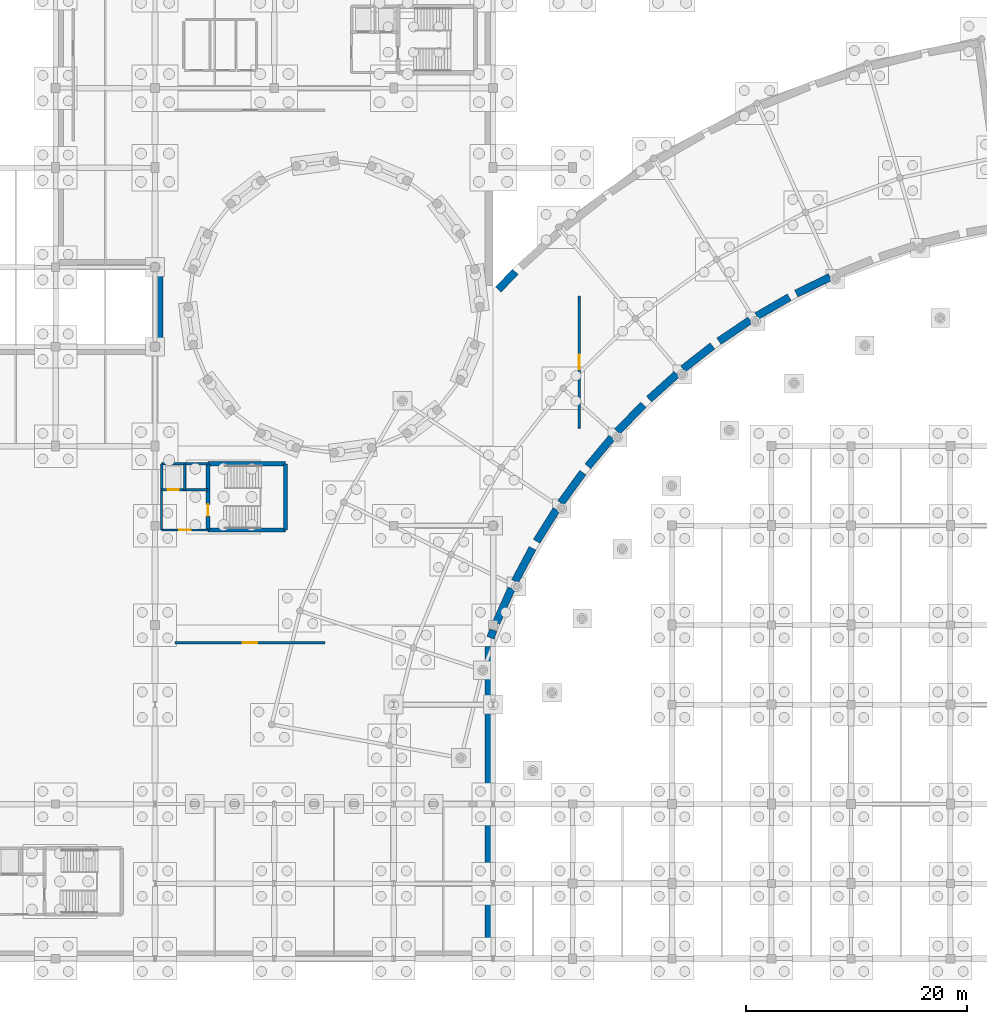
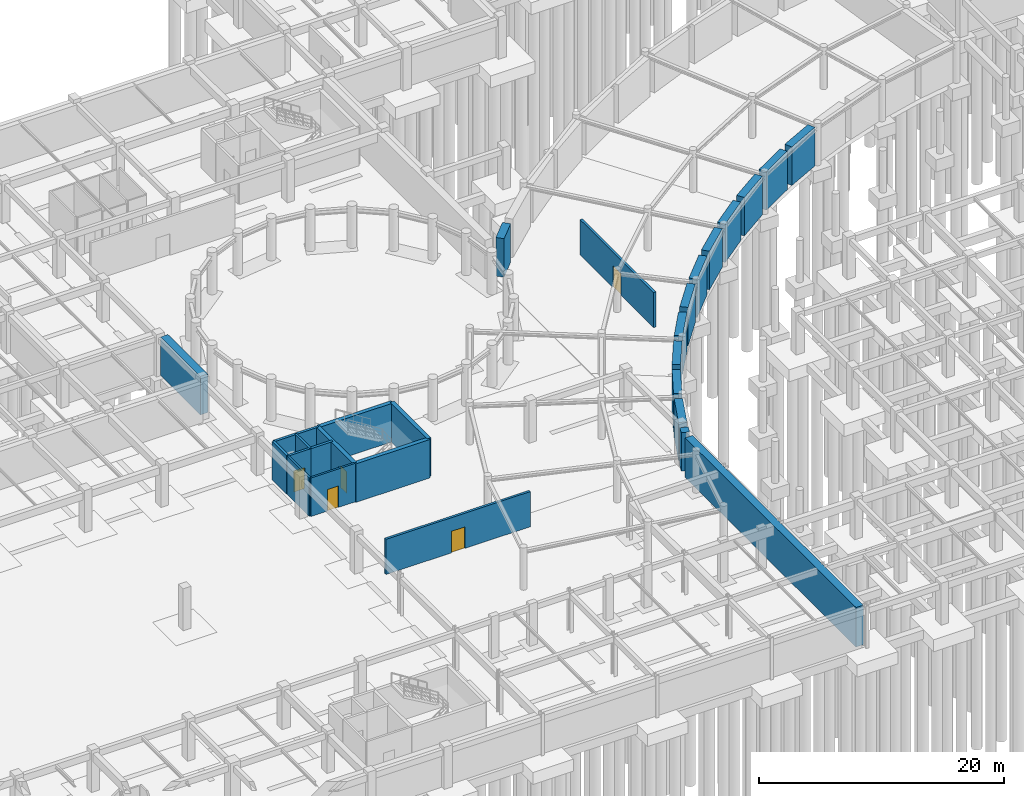
# One storey, part 33 of 42: 28 walls, 5 doors, 5 openings.
"""IFC4 building model written with IfcOpenShell, lengths in metres."""

from ifc_helpers import new_model, si_unit, direction, frame, frame_2d, origin, place, context, subcontext, project, spatial, rectangle, extrude, material, layer, layer_set, type_object, element, fill, save


model = new_model("IFC4")

# Units and contexts
model_context = context("Model", 3, precision=1e-05, world=origin(), true_north=direction((0.0, 1.0)))
body_context = subcontext(model_context, "Body", "Model", "MODEL_VIEW")
ifc_project = project(units=[si_unit("LENGTHUNIT", "METRE"), si_unit("AREAUNIT", "SQUARE_METRE"), si_unit("VOLUMEUNIT", "CUBIC_METRE"), si_unit("PLANEANGLEUNIT", "RADIAN"), si_unit("MASSUNIT", "GRAM", prefix="KILO")], contexts=[model_context])

# Site, building, storey
site_placement = place(None, origin())
site = spatial("IfcSite", under=ifc_project, at=site_placement, CompositionType="ELEMENT")
building_placement = place(site_placement, origin())
building = spatial("IfcBuilding", under=site, at=building_placement, Name="Clarverna Civic Hall", CompositionType="ELEMENT")
storey_placement = place(building_placement, frame((0.0, 0.0, -4.199951171875)))
storey = spatial("IfcBuildingStorey", under=building, at=storey_placement, Name="B01", CompositionType="ELEMENT", Elevation=-4.199951171875)

# Walls
ifc_material_1 = material(Name="Concrete C30/37", Category="concrete")
ifc_layer_1 = layer(ifc_material_1, 0.699951171875)
ifc_layer_set_1 = layer_set([ifc_layer_1], Name="Concrete C30/37")
wall_type_1 = type_object("IfcWallType", Name="DW-01", PredefinedType="SOLIDWALL", material=ifc_layer_set_1)
wall_1_placement = place(storey_placement, frame((97.669921875, 60.5751953125, 0.0), z_axis=(0.0, 0.0, 1.0), x_axis=(0.694647414174, 0.719350380539, 0.0)))
element("IfcWall", 1, at=wall_1_placement, inside=storey, type_object=wall_type_1, Name="DW-01-017", PredefinedType="SOLIDWALL", context=body_context, shape_type="SweptSolid", body=[
    extrude(rectangle(XDim=2.2236328125, YDim=0.699951171875, at=frame_2d((1.11181640625, 0.0))), origin(), (0.0, 0.0, 1.0), 3.83984375),
])
wall_2_placement = place(storey_placement, frame((127.697265625, 61.69482421875, 0.0), z_axis=(0.0, 0.0, 1.0), x_axis=(-0.898805124239, -0.438348432918, 0.0)))
element("IfcWall", 2, at=wall_2_placement, inside=storey, type_object=wall_type_1, Name="DW-01-032", PredefinedType="SOLIDWALL", context=body_context, shape_type="SweptSolid", body=[
    extrude(rectangle(XDim=3.39013671875, YDim=0.699951171875, at=frame_2d((1.695068359375, 0.0))), origin(), (0.0, 0.0, 1.0), 3.83984375),
])
wall_3_placement = place(storey_placement, frame((124.010986328125, 59.868896484375, 0.0), z_axis=(0.0, 0.0, 1.0), x_axis=(-0.86601890861, -0.500011249804, 0.0)))
element("IfcWall", 3, at=wall_3_placement, inside=storey, type_object=wall_type_1, Name="DW-01-033", PredefinedType="SOLIDWALL", context=body_context, shape_type="SweptSolid", body=[
    extrude(rectangle(XDim=3.390625, YDim=0.699951171875, at=frame_2d((1.6953125, 0.0))), origin(), (0.0, 0.0, 1.0), 3.83984375),
])
for number, where, z_axis, x_axis, name in (
    (4, (120.460693359375, 57.7900390625, 0.0), (0.0, 0.0, 1.0), (-0.829035637721, -0.559195771969, 0.0), "DW-01-034"),
    (5, (117.064453125, 55.46875, 0.0), (0.0, 0.0, 1.0), (-0.788032015977, -0.615634259763, 0.0), "DW-01-035"),
    (6, (113.83837890625, 52.916015625, 0.0), (0.0, 0.0, 1.0), (-0.743186712142, -0.669084083577, 0.0), "DW-01-036"),
    (7, (110.798095703125, 50.144775390625, 0.0), (0.0, 0.0, 1.0), (-0.694648489119, -0.719349342506, 0.0), "DW-01-037"),
    (8, (107.95849609375, 47.16796875, 0.0), (0.0, 0.0, 1.0), (-0.642730900305, -0.766092024363, 0.0), "DW-01-038"),
):
    element("IfcWall", number, at=place(storey_placement, frame(where, z_axis=z_axis, x_axis=x_axis)), inside=storey, type_object=wall_type_1, Name=name, PredefinedType="SOLIDWALL", context=body_context, shape_type="SweptSolid", body=[
        extrude(rectangle(XDim=3.39013671875, YDim=0.699951171875, at=frame_2d((1.695068359375, 0.0))), origin(), (0.0, 0.0, 1.0), 3.83984375),
    ])
for number, where, z_axis, x_axis, name in (
    (9, (105.333740234375, 44.00048828125, 0.0), (0.0, 0.0, 1.0), (-0.587752009729, -0.809041145468, 0.0), "DW-01-039"),
    (10, (102.93603515625, 40.657470703125, 0.0), (0.0, 0.0, 1.0), (-0.529863000762, -0.84808325088, 0.0), "DW-01-040"),
):
    element("IfcWall", number, at=place(storey_placement, frame(where, z_axis=z_axis, x_axis=x_axis)), inside=storey, type_object=wall_type_1, Name=name, PredefinedType="SOLIDWALL", context=body_context, shape_type="SweptSolid", body=[
        extrude(rectangle(XDim=3.390380859375, YDim=0.699951171875, at=frame_2d((1.6953125, 0.0))), origin(), (0.0, 0.0, 1.0), 3.83984375),
    ])
for number, where, z_axis, x_axis, name in (
    (11, (100.777587890625, 37.1552734375, 0.0), (0.0, 0.0, 1.0), (-0.469455318668, -0.882956229818, 0.0), "DW-01-041"),
    (12, (98.86865234375, 33.510986328125, 0.0), (0.0, 0.0, 1.0), (-0.406813218317, -0.913511360303, 0.0), "DW-01-042"),
):
    element("IfcWall", number, at=place(storey_placement, frame(where, z_axis=z_axis, x_axis=x_axis)), inside=storey, type_object=wall_type_1, Name=name, PredefinedType="SOLIDWALL", context=body_context, shape_type="SweptSolid", body=[
        extrude(rectangle(XDim=3.39013671875, YDim=0.699951171875, at=frame_2d((1.695068359375, 0.0))), origin(), (0.0, 0.0, 1.0), 3.83984375),
    ])
wall_4_placement = place(storey_placement, frame((97.218505859375, 29.74267578125, 0.0), z_axis=(0.0, 0.0, 1.0), x_axis=(-0.342088035222, -0.939667907379, 0.0)))
element("IfcWall", 13, at=wall_4_placement, inside=storey, type_object=wall_type_1, Name="DW-01-043", PredefinedType="SOLIDWALL", context=body_context, shape_type="SweptSolid", body=[
    extrude(rectangle(XDim=0.73876953125, YDim=0.699951171875, at=frame_2d((0.369384765625, 0.0))), origin(), (0.0, 0.0, 1.0), 3.83984375),
])
wall_5_placement = place(storey_placement, frame((96.824951171875, 28.25, 0.0), z_axis=(0.0, 0.0, 1.0), x_axis=(0.0, -1.0, 0.0)))
element("IfcWall", 14, at=wall_5_placement, inside=storey, type_object=wall_type_1, Name="DW-01-044", PredefinedType="SOLIDWALL", context=body_context, shape_type="SweptSolid", body=[
    extrude(rectangle(XDim=27.89990234375, YDim=0.699951171875, at=frame_2d((13.949951171875, 0.0))), origin(), (0.0, 0.0, 1.0), 3.949951171875),
])
wall_6_placement = place(storey_placement, frame((66.97509765625, 55.75, 0.0), z_axis=(0.0, 0.0, 1.0), x_axis=(0.0, 1.0, 0.0)))
element("IfcWall", 15, at=wall_6_placement, inside=storey, type_object=wall_type_1, Name="DW-01-053", PredefinedType="SOLIDWALL", context=body_context, shape_type="SweptSolid", body=[
    extrude(rectangle(XDim=6.5, YDim=0.699951171875, at=frame_2d((3.25, 0.0))), origin(), (0.0, 0.0, 1.0), 3.83984375),
])

# Wall, opening, door
ifc_material_2 = material(Name="Aerated Concrete Masonry Blockwork", Category="masonry")
ifc_layer_2 = layer(ifc_material_2, 0.219970703125)
ifc_layer_set_2 = layer_set([ifc_layer_2], Name="Aerated Concrete Masonry Blockwork")
wall_type_2 = type_object("IfcWallType", Name="PW-05", PredefinedType="PARTITIONING", material=ifc_layer_set_2)
wall_7_placement = place(storey_placement, frame((105.0, 48.0, 0.0), z_axis=(0.0, 0.0, 1.0), x_axis=(0.0, 1.0, 0.0)))
wall_7 = element("IfcWall", 16, at=wall_7_placement, inside=storey, type_object=wall_type_2, Name="PW-05-006", PredefinedType="PARTITIONING", context=body_context, shape_type="SweptSolid", body=[
    extrude(rectangle(XDim=12.0, YDim=0.219970703125, at=frame_2d((6.0, 0.0))), origin(), (0.0, 0.0, 1.0), 3.510009765625),
])
opening_1_placement = place(wall_7_placement, frame((5.35009765625, 0.0, 0.0)))
opening_1 = element("IfcOpeningElement", 17, at=opening_1_placement, cuts=wall_7, Name="Opening FD-05", PredefinedType="OPENING", context=body_context, shape_type="SweptSolid", body=[
    extrude(rectangle(XDim=1.300048828125, YDim=2.14990234375, at=frame_2d((0.64990234375, 1.074951171875))), frame((0.0, 0.119873046875, 0.0), z_axis=(0.0, -1.0, 0.0), x_axis=(1.0, 0.0, 0.0)), (0.0, 0.0, 1.0), 0.239990234375),
])
ifc_material_3 = material(Name="Acoustic Steel Plant Fire Door", Category="steel")
door_type_1 = type_object("IfcDoorType", Name="FD-05", OperationType="NOTDEFINED", PredefinedType="DOOR", material=ifc_material_3)
door_1_placement = place(opening_1_placement, origin())
door_1 = element("IfcDoor", 18, at=door_1_placement, inside=storey, type_object=door_type_1, Name="FD-05-006", OperationType="SINGLE_SWING_LEFT", OverallHeight=2.14990234375, OverallWidth=1.300048828125, PredefinedType="DOOR", context=body_context, shape_type="SweptSolid", body=[
    extrude(rectangle(XDim=1.300048828125, YDim=2.14990234375, at=frame_2d((0.64990234375, 1.074951171875))), frame((0.0, 0.02490234375, 0.0), z_axis=(0.0, -1.0, 0.0), x_axis=(1.0, 0.0, 0.0)), (0.0, 0.0, 1.0), 0.050048828125),
])
fill(opening_1, door_1)

wall_8_placement = place(storey_placement, frame((68.39990234375, 28.60009765625, 0.0), z_axis=(0.0, 0.0, 1.0), x_axis=(1.0, 0.0, 0.0)))
wall_8 = element("IfcWall", 19, at=wall_8_placement, inside=storey, type_object=wall_type_2, Name="PW-05-007", PredefinedType="PARTITIONING", context=body_context, shape_type="SweptSolid", body=[
    extrude(rectangle(XDim=13.60009765625, YDim=0.219970703125, at=frame_2d((6.800048828125, 0.0))), origin(), (0.0, 0.0, 1.0), 3.510009765625),
])
opening_2_placement = place(wall_8_placement, frame((6.14990234375, 0.0, 0.0)))
opening_2 = element("IfcOpeningElement", 20, at=opening_2_placement, cuts=wall_8, Name="Opening FD-05", PredefinedType="OPENING", context=body_context, shape_type="SweptSolid", body=[
    extrude(rectangle(XDim=1.300048828125, YDim=2.14990234375, at=frame_2d((0.64990234375, 1.074951171875))), frame((0.0, 0.119873046875, 0.0), z_axis=(0.0, -1.0, 0.0), x_axis=(1.0, 0.0, 0.0)), (0.0, 0.0, 1.0), 0.239990234375),
])
door_2_placement = place(opening_2_placement, origin())
door_2 = element("IfcDoor", 21, at=door_2_placement, inside=storey, type_object=door_type_1, Name="FD-05-007", OperationType="SINGLE_SWING_RIGHT", OverallHeight=2.14990234375, OverallWidth=1.300048828125, PredefinedType="DOOR", context=body_context, shape_type="SweptSolid", body=[
    extrude(rectangle(XDim=1.300048828125, YDim=2.14990234375, at=frame_2d((0.64990234375, 1.074951171875))), frame((0.0, 0.02490234375, 0.0), z_axis=(0.0, -1.0, 0.0), x_axis=(1.0, 0.0, 0.0)), (0.0, 0.0, 1.0), 0.050048828125),
])
fill(opening_2, door_2)

# Wall
ifc_material_4 = material(Name="Acoustic Gypsum Plasterboard on Twin Frame", Category="gypsum")
ifc_layer_3 = layer(ifc_material_4, 0.18994140625)
ifc_layer_set_3 = layer_set([ifc_layer_3], Name="Acoustic Gypsum Plasterboard on Twin Frame")
wall_type_3 = type_object("IfcWallType", Name="PW-06", PredefinedType="PARTITIONING", material=ifc_layer_set_3)
wall_9_placement = place(storey_placement, frame((67.199951171875, 38.800048828125, 0.0), z_axis=(0.0, 0.0, 1.0), x_axis=(0.0, 1.0, 0.0)))
element("IfcWall", 22, at=wall_9_placement, inside=storey, type_object=wall_type_3, Name="PW-06-049", PredefinedType="PARTITIONING", context=body_context, shape_type="SweptSolid", body=[
    extrude(rectangle(XDim=3.64990234375, YDim=0.18994140625, at=frame_2d((1.824951171875, 0.0))), origin(), (0.0, 0.0, 1.0), 3.83984375),
])

# Wall, opening, door
wall_10_placement = place(storey_placement, frame((67.199951171875, 38.800048828125, 0.0), z_axis=(0.0, 0.0, 1.0), x_axis=(1.0, 0.0, 0.0)))
wall_10 = element("IfcWall", 23, at=wall_10_placement, inside=storey, type_object=wall_type_3, Name="PW-06-050", PredefinedType="PARTITIONING", context=body_context, shape_type="SweptSolid", body=[
    extrude(rectangle(XDim=4.199951171875, YDim=0.18994140625, at=frame_2d((2.10009765625, 0.0))), origin(), (0.0, 0.0, 1.0), 3.83984375),
])
opening_3_placement = place(wall_10_placement, frame((1.574951171875, 0.0, 0.0)))
opening_3 = element("IfcOpeningElement", 24, at=opening_3_placement, cuts=wall_10, Name="Opening FD-02", PredefinedType="OPENING", context=body_context, shape_type="SweptSolid", body=[
    extrude(rectangle(XDim=1.050048828125, YDim=2.14990234375, at=frame_2d((0.52490234375, 1.074951171875))), frame((0.0, 0.10498046875, 0.0), z_axis=(0.0, -1.0, 0.0), x_axis=(1.0, 0.0, 0.0)), (0.0, 0.0, 1.0), 0.2099609375),
])
ifc_material_5 = material(Name="Acoustic Timber-Faced Fire Door", Category="wood")
door_type_2 = type_object("IfcDoorType", Name="FD-02", OperationType="NOTDEFINED", PredefinedType="DOOR", material=ifc_material_5)
door_3_placement = place(opening_3_placement, origin())
door_3 = element("IfcDoor", 25, at=door_3_placement, inside=storey, type_object=door_type_2, Name="FD-02-047", OperationType="SINGLE_SWING_RIGHT", OverallHeight=2.14990234375, OverallWidth=1.050048828125, PredefinedType="DOOR", context=body_context, shape_type="SweptSolid", body=[
    extrude(rectangle(XDim=1.050048828125, YDim=2.14990234375, at=frame_2d((0.52490234375, 1.074951171875))), frame((0.0, 0.02490234375, 0.0), z_axis=(0.0, -1.0, 0.0), x_axis=(1.0, 0.0, 0.0)), (0.0, 0.0, 1.0), 0.050048828125),
])
fill(opening_3, door_3)

ifc_material_6 = material(Name="Concrete C35/45", Category="concrete")
ifc_layer_4 = layer(ifc_material_6, 0.3798828125)
ifc_layer_set_4 = layer_set([ifc_layer_4], Name="Concrete C35/45")
wall_type_4 = type_object("IfcWallType", Name="SW-01", PredefinedType="SHEAR", material=ifc_layer_set_4)
wall_11_placement = place(storey_placement, frame((71.39990234375, 38.800048828125, 0.0), z_axis=(0.0, 0.0, 1.0), x_axis=(0.0, 1.0, 0.0)))
wall_11 = element("IfcWall", 26, at=wall_11_placement, inside=storey, type_object=wall_type_4, Name="SW-01-217", PredefinedType="SHEAR", context=body_context, shape_type="SweptSolid", body=[
    extrude(rectangle(XDim=6.0, YDim=0.3798828125, at=frame_2d((3.0, 0.0))), origin(), (0.0, 0.0, 1.0), 3.83984375),
])
opening_4_placement = place(wall_11_placement, frame((1.27490234375, 0.0, 0.0)))
opening_4 = element("IfcOpeningElement", 27, at=opening_4_placement, cuts=wall_11, Name="Opening FD-02", PredefinedType="OPENING", context=body_context, shape_type="SweptSolid", body=[
    extrude(rectangle(XDim=1.050048828125, YDim=2.14990234375, at=frame_2d((0.52490234375, 1.074951171875))), frame((0.0, 0.199951171875, 0.0), z_axis=(0.0, -1.0, 0.0), x_axis=(1.0, 0.0, 0.0)), (0.0, 0.0, 1.0), 0.39990234375),
])
door_4_placement = place(opening_4_placement, origin())
door_4 = element("IfcDoor", 28, at=door_4_placement, inside=storey, type_object=door_type_2, Name="FD-02-046", OperationType="SINGLE_SWING_LEFT", OverallHeight=2.14990234375, OverallWidth=1.050048828125, PredefinedType="DOOR", context=body_context, shape_type="SweptSolid", body=[
    extrude(rectangle(XDim=1.050048828125, YDim=2.14990234375, at=frame_2d((0.52490234375, 1.074951171875))), frame((0.0, 0.02490234375, 0.0), z_axis=(0.0, -1.0, 0.0), x_axis=(1.0, 0.0, 0.0)), (0.0, 0.0, 1.0), 0.050048828125),
])
fill(opening_4, door_4)

# Walls
wall_12_placement = place(storey_placement, frame((78.39990234375, 38.800048828125, 0.0), z_axis=(0.0, 0.0, 1.0), x_axis=(0.0, 1.0, 0.0)))
element("IfcWall", 29, at=wall_12_placement, inside=storey, type_object=wall_type_4, Name="SW-01-218", PredefinedType="SHEAR", context=body_context, shape_type="SweptSolid", body=[
    extrude(rectangle(XDim=6.0, YDim=0.3798828125, at=frame_2d((3.0, 0.0))), origin(), (0.0, 0.0, 1.0), 3.83984375),
])
for number, where, z_axis, x_axis, name in (
    (30, (71.39990234375, 38.800048828125, 0.0), (0.0, 0.0, 1.0), (1.0, 0.0, 0.0), "SW-01-219"),
    (31, (71.39990234375, 44.800048828125, 0.0), (0.0, 0.0, 1.0), (1.0, 0.0, 0.0), "SW-01-220"),
):
    element("IfcWall", number, at=place(storey_placement, frame(where, z_axis=z_axis, x_axis=x_axis)), inside=storey, type_object=wall_type_4, Name=name, PredefinedType="SHEAR", context=body_context, shape_type="SweptSolid", body=[
        extrude(rectangle(XDim=7.0, YDim=0.3798828125, at=frame_2d((3.5, 0.0))), origin(), (0.0, 0.0, 1.0), 3.83984375),
    ])
wall_13_placement = place(storey_placement, frame((67.199951171875, 44.800048828125, 0.0), z_axis=(0.0, 0.0, 1.0), x_axis=(1.0, 0.0, 0.0)))
element("IfcWall", 32, at=wall_13_placement, inside=storey, type_object=wall_type_4, Name="SW-01-221", PredefinedType="SHEAR", context=body_context, shape_type="SweptSolid", body=[
    extrude(rectangle(XDim=4.199951171875, YDim=0.239990234375, at=frame_2d((2.10009765625, 0.0))), origin(), (0.0, 0.0, 1.0), 3.83984375),
])
wall_14_placement = place(storey_placement, frame((67.199951171875, 42.449951171875, 0.0), z_axis=(0.0, 0.0, 1.0), x_axis=(0.0, 1.0, 0.0)))
element("IfcWall", 33, at=wall_14_placement, inside=storey, type_object=wall_type_4, Name="SW-01-222", PredefinedType="SHEAR", context=body_context, shape_type="SweptSolid", body=[
    extrude(rectangle(XDim=2.35009765625, YDim=0.239990234375, at=frame_2d((1.175048828125, 0.0))), origin(), (0.0, 0.0, 1.0), 3.83984375),
])
wall_15_placement = place(storey_placement, frame((69.300048828125, 42.449951171875, 0.0), z_axis=(0.0, 0.0, 1.0), x_axis=(0.0, 1.0, 0.0)))
element("IfcWall", 34, at=wall_15_placement, inside=storey, type_object=wall_type_4, Name="SW-01-223", PredefinedType="SHEAR", context=body_context, shape_type="SweptSolid", body=[
    extrude(rectangle(XDim=2.35009765625, YDim=0.199951171875, at=frame_2d((1.175048828125, 0.0))), origin(), (0.0, 0.0, 1.0), 3.83984375),
])

# Wall, opening, door
wall_16_placement = place(storey_placement, frame((67.199951171875, 42.449951171875, 0.0), z_axis=(0.0, 0.0, 1.0), x_axis=(1.0, 0.0, 0.0)))
wall_16 = element("IfcWall", 35, at=wall_16_placement, inside=storey, type_object=wall_type_4, Name="SW-01-224", PredefinedType="SHEAR", context=body_context, shape_type="SweptSolid", body=[
    extrude(rectangle(XDim=2.10009765625, YDim=0.239990234375, at=frame_2d((1.050048828125, 0.0))), origin(), (0.0, 0.0, 1.0), 3.83984375),
])
opening_5_placement = place(wall_16_placement, frame((0.550048828125, 0.0, 0.0)))
opening_5 = element("IfcOpeningElement", 36, at=opening_5_placement, cuts=wall_16, Name="Opening LD-01", PredefinedType="OPENING", context=body_context, shape_type="SweptSolid", body=[
    extrude(rectangle(XDim=1.0, YDim=2.10009765625, at=frame_2d((0.5, 1.050048828125))), frame((0.0, 0.1298828125, 0.0), z_axis=(0.0, -1.0, 0.0), x_axis=(1.0, 0.0, 0.0)), (0.0, 0.0, 1.0), 0.260009765625),
])
ifc_material_7 = material(Name="Brushed Bronze Stainless Lift Landing Door")
door_type_3 = type_object("IfcDoorType", Name="LD-01", OperationType="SLIDING_TO_LEFT", PredefinedType="DOOR", material=ifc_material_7)
door_5_placement = place(opening_5_placement, origin())
door_5 = element("IfcDoor", 37, at=door_5_placement, inside=storey, type_object=door_type_3, Name="LD-01-049", OperationType="SLIDING_TO_LEFT", OverallHeight=2.10009765625, OverallWidth=1.0, PredefinedType="DOOR", context=body_context, shape_type="SweptSolid", body=[
    extrude(rectangle(XDim=1.0, YDim=2.10009765625, at=frame_2d((0.5, 1.050048828125))), frame((0.0, 0.02490234375, 0.0), z_axis=(0.0, -1.0, 0.0), x_axis=(1.0, 0.0, 0.0)), (0.0, 0.0, 1.0), 0.050048828125),
])
fill(opening_5, door_5)

# Wall
wall_17_placement = place(storey_placement, frame((69.300048828125, 42.449951171875, 0.0), z_axis=(0.0, 0.0, 1.0), x_axis=(1.0, 0.0, 0.0)))
element("IfcWall", 38, at=wall_17_placement, inside=storey, type_object=wall_type_4, Name="SW-01-225", PredefinedType="SHEAR", context=body_context, shape_type="SweptSolid", body=[
    extrude(rectangle(XDim=2.099853515625, YDim=0.239990234375, at=frame_2d((1.0498046875, 0.0))), origin(), (0.0, 0.0, 1.0), 3.83984375),
])

save(model, "model.ifc")
